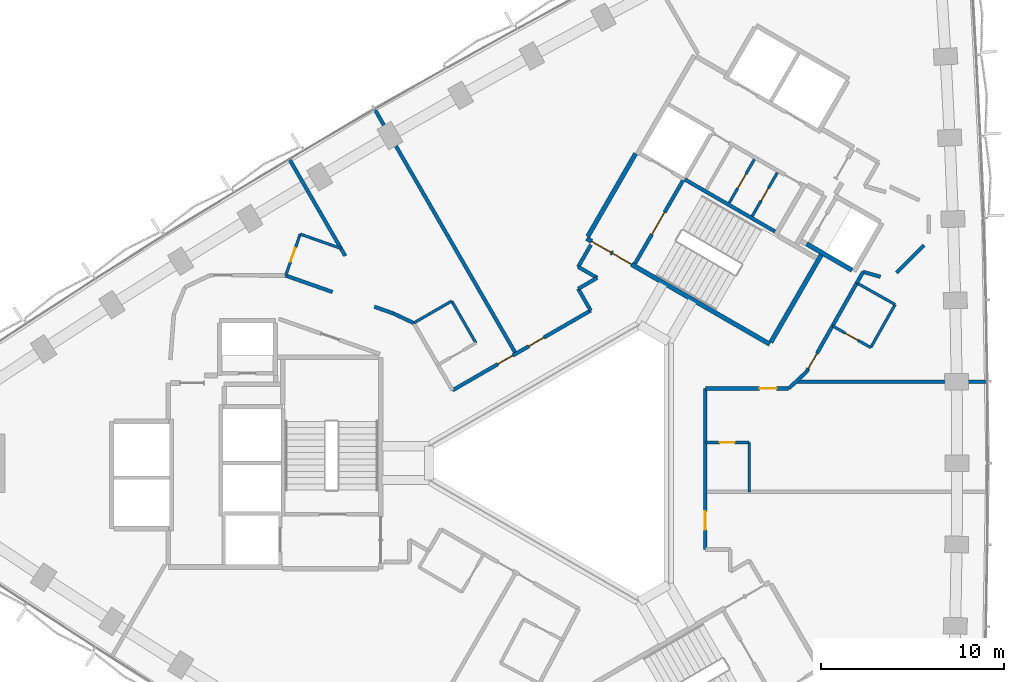
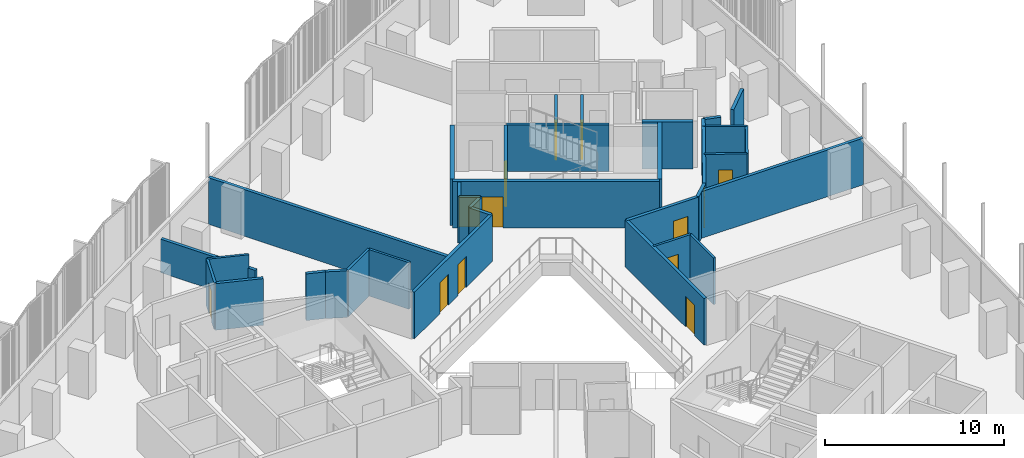
# One storey, part 10 of 15: 35 walls, 13 doors, 13 openings.
"""IFC4 building model written with IfcOpenShell, lengths in metres."""

from ifc_helpers import new_model, si_unit, direction, frame, frame_2d, origin, place, context, subcontext, project, spatial, rectangle, extrude, material, layer, layer_set, type_object, element, fill, save


model = new_model("IFC4")

# Units and contexts
model_context = context("Model", 3, precision=1e-05, world=origin(), true_north=direction((0.0, 1.0)))
body_context = subcontext(model_context, "Body", "Model", "MODEL_VIEW")
ifc_project = project(units=[si_unit("LENGTHUNIT", "METRE"), si_unit("AREAUNIT", "SQUARE_METRE"), si_unit("VOLUMEUNIT", "CUBIC_METRE"), si_unit("PLANEANGLEUNIT", "RADIAN"), si_unit("MASSUNIT", "GRAM", prefix="KILO")], contexts=[model_context])

# Site, building, storey
site_placement = place(None, origin())
site = spatial("IfcSite", under=ifc_project, at=site_placement, CompositionType="ELEMENT")
building_placement = place(site_placement, origin())
building = spatial("IfcBuilding", under=site, at=building_placement, Name="Tamra Quay Hotel Tower", CompositionType="ELEMENT")
storey_placement = place(building_placement, frame((0.0, 0.0, 111.800048828125)))
storey = spatial("IfcBuildingStorey", under=building, at=storey_placement, Name="L27", CompositionType="ELEMENT", Elevation=111.800048828125)

# Wall
ifc_material_1 = material(Name="Concrete M70", Category="concrete")
ifc_layer_1 = layer(ifc_material_1, 0.199951171875)
ifc_layer_set_1 = layer_set([ifc_layer_1], Name="Concrete M70 core wall 200")
wall_type_1 = type_object("IfcWallType", Name="Concrete M70 core wall 200", PredefinedType="SHEAR", material=ifc_layer_set_1)
wall_1_placement = place(storey_placement, frame((5.774658203125, 15.501953125, 0.0), z_axis=(0.0, 0.0, 1.0), x_axis=(0.866020080793, -0.500009219579, 0.0)))
element("IfcWall", 1, at=wall_1_placement, inside=storey, type_object=wall_type_1, Name="CW2", PredefinedType="SHEAR", context=body_context, shape_type="SweptSolid", body=[
    extrude(rectangle(XDim=5.69921875, YDim=0.199951171875, at=frame_2d((2.849609375, 0.0))), origin(), (0.0, 0.0, 1.0), 3.175048828125),
])

# Wall, opening, door
wall_2_placement = place(storey_placement, frame((3.056640625, 10.89453125, 0.0), z_axis=(0.0, 0.0, 1.0), x_axis=(0.499989418164, 0.866031513124, 0.0)))
wall_2 = element("IfcWall", 2, at=wall_2_placement, inside=storey, type_object=wall_type_1, Name="CW2", PredefinedType="SHEAR", context=body_context, shape_type="SweptSolid", body=[
    extrude(rectangle(XDim=5.2509765625, YDim=0.199951171875, at=frame_2d((2.62548828125, 0.0))), origin(), (0.0, 0.0, 1.0), 3.175048828125),
])
opening_1_placement = place(wall_2_placement, frame((1.84912109375, 0.0, 0.0)))
opening_1 = element("IfcOpeningElement", 3, at=opening_1_placement, cuts=wall_2, Name="Opening FD2", PredefinedType="OPENING", context=body_context, shape_type="SweptSolid", body=[
    extrude(rectangle(XDim=1.39990234375, YDim=2.10009765625, at=frame_2d((0.699951171875, 1.050048828125))), frame((0.0, 0.10986328125, 0.0), z_axis=(0.0, -1.0, 0.0), x_axis=(1.0, 0.0, 0.0)), (0.0, 0.0, 1.0), 0.219970703125),
])
ifc_material_2 = material(Name="Core door FD2 1400x2100 RH")
door_type_1 = type_object("IfcDoorType", Name="Core door FD2 1400x2100 RH", OperationType="NOTDEFINED", PredefinedType="DOOR", material=ifc_material_2)
door_1_placement = place(opening_1_placement, origin())
door_1 = element("IfcDoor", 4, at=door_1_placement, inside=storey, type_object=door_type_1, Name="FD2", OperationType="SINGLE_SWING_RIGHT", OverallHeight=2.10009765625, OverallWidth=1.39990234375, PredefinedType="DOOR", context=body_context, shape_type="SweptSolid", body=[
    extrude(rectangle(XDim=1.39990234375, YDim=2.10009765625, at=frame_2d((0.699951171875, 1.050048828125))), frame((0.0, 0.02490234375, 0.0), z_axis=(0.0, -1.0, 0.0), x_axis=(1.0, 0.0, 0.0)), (0.0, 0.0, 1.0), 0.050048828125),
])
fill(opening_1, door_1)

# Wall, openings, doors
ifc_layer_2 = layer(ifc_material_1, 0.25)
ifc_layer_set_2 = layer_set([ifc_layer_2], Name="Concrete M70 core wall 250")
wall_type_2 = type_object("IfcWallType", Name="Concrete M70 core wall 250", PredefinedType="SHEAR", material=ifc_layer_set_2)
wall_3_placement = place(storey_placement, frame((10.419921875, 6.497802734375, 0.0), z_axis=(0.0, 0.0, 1.0), x_axis=(-0.866021906294, 0.500006057782, 0.0)))
wall_3 = element("IfcWall", 5, at=wall_3_placement, inside=storey, type_object=wall_type_2, Name="CW1", PredefinedType="SHEAR", context=body_context, shape_type="SweptSolid", body=[
    extrude(rectangle(XDim=11.550048828125, YDim=0.25, at=frame_2d((5.77490234375, 0.0))), origin(), (0.0, 0.0, 1.0), 3.175048828125),
])
opening_2_placement = place(wall_3_placement, frame((10.02490234375, 0.0, 0.0)))
opening_2 = element("IfcOpeningElement", 6, at=opening_2_placement, cuts=wall_3, Name="Opening FD1", PredefinedType="OPENING", context=body_context, shape_type="SweptSolid", body=[
    extrude(rectangle(XDim=1.199951171875, YDim=2.10009765625, at=frame_2d((0.60009765625, 1.050048828125))), frame((0.0, 0.135009765625, 0.0), z_axis=(0.0, -1.0, 0.0), x_axis=(1.0, 0.0, 0.0)), (0.0, 0.0, 1.0), 0.27001953125),
])
opening_3_placement = place(wall_3_placement, frame((8.724853515625, 0.0, 0.0)))
opening_3 = element("IfcOpeningElement", 7, at=opening_3_placement, cuts=wall_3, Name="Opening FD1", PredefinedType="OPENING", context=body_context, shape_type="SweptSolid", body=[
    extrude(rectangle(XDim=1.199951171875, YDim=2.10009765625, at=frame_2d((0.60009765625, 1.050048828125))), frame((0.0, 0.135009765625, 0.0), z_axis=(0.0, -1.0, 0.0), x_axis=(1.0, 0.0, 0.0)), (0.0, 0.0, 1.0), 0.27001953125),
])
ifc_material_3 = material(Name="Core door FD1 1200x2100 LH")
door_type_2 = type_object("IfcDoorType", Name="Core door FD1 1200x2100 LH", OperationType="NOTDEFINED", PredefinedType="DOOR", material=ifc_material_3)
door_2_placement = place(opening_2_placement, origin())
door_2 = element("IfcDoor", 8, at=door_2_placement, inside=storey, type_object=door_type_2, Name="FD1", OperationType="SINGLE_SWING_LEFT", OverallHeight=2.10009765625, OverallWidth=1.199951171875, PredefinedType="DOOR", context=body_context, shape_type="SweptSolid", body=[
    extrude(rectangle(XDim=1.199951171875, YDim=2.10009765625, at=frame_2d((0.60009765625, 1.050048828125))), frame((0.0, 0.02490234375, 0.0), z_axis=(0.0, -1.0, 0.0), x_axis=(1.0, 0.0, 0.0)), (0.0, 0.0, 1.0), 0.050048828125),
])
fill(opening_2, door_2)
ifc_material_4 = material(Name="Core door FD1 1200x2100 RH")
door_type_3 = type_object("IfcDoorType", Name="Core door FD1 1200x2100 RH", OperationType="NOTDEFINED", PredefinedType="DOOR", material=ifc_material_4)
door_3_placement = place(opening_3_placement, origin())
door_3 = element("IfcDoor", 9, at=door_3_placement, inside=storey, type_object=door_type_3, Name="FD1", OperationType="SINGLE_SWING_RIGHT", OverallHeight=2.10009765625, OverallWidth=1.199951171875, PredefinedType="DOOR", context=body_context, shape_type="SweptSolid", body=[
    extrude(rectangle(XDim=1.199951171875, YDim=2.10009765625, at=frame_2d((0.60009765625, 1.050048828125))), frame((0.0, 0.02490234375, 0.0), z_axis=(0.0, -1.0, 0.0), x_axis=(1.0, 0.0, 0.0)), (0.0, 0.0, 1.0), 0.050048828125),
])
fill(opening_3, door_3)

# Walls
wall_4_placement = place(storey_placement, frame((0.47998046875, 12.38134765625, 0.0), z_axis=(0.0, 0.0, 1.0), x_axis=(0.49999885962, 0.866026062182, 0.0)))
element("IfcWall", 10, at=wall_4_placement, inside=storey, type_object=wall_type_2, Name="CW1", PredefinedType="SHEAR", context=body_context, shape_type="SweptSolid", body=[
    extrude(rectangle(XDim=5.224609375, YDim=0.25, at=frame_2d((2.6123046875, 0.0))), origin(), (0.0, 0.0, 1.0), 3.175048828125),
])
wall_5_placement = place(storey_placement, frame((13.237548828125, 11.3779296875, 0.0), z_axis=(0.0, 0.0, 1.0), x_axis=(-0.500008851346, -0.866020293397, 0.0)))
element("IfcWall", 11, at=wall_5_placement, inside=storey, type_object=wall_type_2, Name="CW1", PredefinedType="SHEAR", context=body_context, shape_type="SweptSolid", body=[
    extrude(rectangle(XDim=5.509765625, YDim=0.25, at=frame_2d((2.7548828125, 0.0))), origin(), (0.0, 0.0, 1.0), 3.175048828125),
])
wall_6_placement = place(storey_placement, frame((14.91845703125, 10.540283203125, 0.0), z_axis=(0.0, 0.0, 1.0), x_axis=(-0.866063538972, 0.499933942099, 0.0)))
element("IfcWall", 12, at=wall_6_placement, inside=storey, type_object=wall_type_2, Name="CW1", PredefinedType="SHEAR", context=body_context, shape_type="SweptSolid", body=[
    extrude(rectangle(XDim=2.86474609375, YDim=0.25, at=frame_2d((1.432373046875, 0.0))), origin(), (0.0, 0.0, 1.0), 3.175048828125),
])

# Wall, opening, door
ifc_material_5 = material(Name="Blockwork", Category="masonry")
ifc_layer_3 = layer(ifc_material_5, 0.14990234375)
ifc_layer_set_3 = layer_set([ifc_layer_3], Name="Core partition block 150")
wall_type_3 = type_object("IfcWallType", Name="Core partition block 150", PredefinedType="PARTITIONING", material=ifc_layer_set_3)
wall_7_placement = place(storey_placement, frame((9.462158203125, 13.4892578125, 0.0), z_axis=(0.0, 0.0, 1.0), x_axis=(0.50002746344, 0.86600954718, 0.0)))
wall_7 = element("IfcWall", 13, at=wall_7_placement, inside=storey, type_object=wall_type_3, Name="CP1", PredefinedType="PARTITIONING", context=body_context, shape_type="SweptSolid", body=[
    extrude(rectangle(XDim=2.748291015625, YDim=0.14990234375, at=frame_2d((1.3740234375, 0.0))), origin(), (0.0, 0.0, 1.0), 3.175048828125),
])
opening_4_placement = place(wall_7_placement, frame((0.97412109375, 0.0, 0.0)))
opening_4 = element("IfcOpeningElement", 14, at=opening_4_placement, cuts=wall_7, Name="Opening D3", PredefinedType="OPENING", context=body_context, shape_type="SweptSolid", body=[
    extrude(rectangle(XDim=0.800048828125, YDim=2.10009765625, at=frame_2d((0.39990234375, 1.050048828125))), frame((0.0, 0.0849609375, 0.0), z_axis=(0.0, -1.0, 0.0), x_axis=(1.0, 0.0, 0.0)), (0.0, 0.0, 1.0), 0.169921875),
])
ifc_material_6 = material(Name="Core door D3 800x2100 RH")
door_type_4 = type_object("IfcDoorType", Name="Core door D3 800x2100 RH", OperationType="NOTDEFINED", PredefinedType="DOOR", material=ifc_material_6)
door_4_placement = place(opening_4_placement, origin())
door_4 = element("IfcDoor", 15, at=door_4_placement, inside=storey, type_object=door_type_4, Name="D3", OperationType="SINGLE_SWING_RIGHT", OverallHeight=2.10009765625, OverallWidth=0.800048828125, PredefinedType="DOOR", context=body_context, shape_type="SweptSolid", body=[
    extrude(rectangle(XDim=0.800048828125, YDim=2.10009765625, at=frame_2d((0.39990234375, 1.050048828125))), frame((0.0, 0.02490234375, 0.0), z_axis=(0.0, -1.0, 0.0), x_axis=(1.0, 0.0, 0.0)), (0.0, 0.0, 1.0), 0.050048828125),
])
fill(opening_4, door_4)

wall_8_placement = place(storey_placement, frame((8.20654296875, 14.214111328125, 0.0), z_axis=(0.0, 0.0, 1.0), x_axis=(0.499922376475, 0.866070215109, 0.0)))
wall_8 = element("IfcWall", 16, at=wall_8_placement, inside=storey, type_object=wall_type_3, Name="CP1", PredefinedType="PARTITIONING", context=body_context, shape_type="SweptSolid", body=[
    extrude(rectangle(XDim=2.74853515625, YDim=0.14990234375, at=frame_2d((1.374267578125, 0.0))), origin(), (0.0, 0.0, 1.0), 3.175048828125),
])
opening_5_placement = place(wall_8_placement, frame((0.92431640625, 0.0, 0.0)))
opening_5 = element("IfcOpeningElement", 17, at=opening_5_placement, cuts=wall_8, Name="Opening D2", PredefinedType="OPENING", context=body_context, shape_type="SweptSolid", body=[
    extrude(rectangle(XDim=0.89990234375, YDim=2.10009765625, at=frame_2d((0.449951171875, 1.050048828125))), frame((0.0, 0.0849609375, 0.0), z_axis=(0.0, -1.0, 0.0), x_axis=(1.0, 0.0, 0.0)), (0.0, 0.0, 1.0), 0.169921875),
])
ifc_material_7 = material(Name="Core door D2 900x2100 LH")
door_type_5 = type_object("IfcDoorType", Name="Core door D2 900x2100 LH", OperationType="NOTDEFINED", PredefinedType="DOOR", material=ifc_material_7)
door_5_placement = place(opening_5_placement, origin())
door_5 = element("IfcDoor", 18, at=door_5_placement, inside=storey, type_object=door_type_5, Name="D2", OperationType="SINGLE_SWING_LEFT", OverallHeight=2.10009765625, OverallWidth=0.89990234375, PredefinedType="DOOR", context=body_context, shape_type="SweptSolid", body=[
    extrude(rectangle(XDim=0.89990234375, YDim=2.10009765625, at=frame_2d((0.449951171875, 1.050048828125))), frame((0.0, 0.02490234375, 0.0), z_axis=(0.0, -1.0, 0.0), x_axis=(1.0, 0.0, 0.0)), (0.0, 0.0, 1.0), 0.050048828125),
])
fill(opening_5, door_5)

# Walls
ifc_material_8 = material(Name="Partition corridor wall")
ifc_layer_4 = layer(ifc_material_8, 0.199951171875)
ifc_layer_set_4 = layer_set([ifc_layer_4], Name="Partition corridor wall")
wall_type_4 = type_object("IfcWallType", Name="Partition corridor wall", PredefinedType="PARTITIONING", material=ifc_layer_set_4)
wall_9_placement = place(storey_placement, frame((-16.02587890625, 10.24755859375, 0.0), z_axis=(0.0, 0.0, 1.0), x_axis=(0.943265923184, -0.332038248039, 0.0)))
element("IfcWall", 19, at=wall_9_placement, inside=storey, type_object=wall_type_4, Name="W-C", PredefinedType="PARTITIONING", context=body_context, shape_type="SweptSolid", body=[
    extrude(rectangle(XDim=2.711669921875, YDim=0.199951171875, at=frame_2d((1.35595703125, 0.0))), origin(), (0.0, 0.0, 1.0), 3.175048828125),
])
wall_10_placement = place(storey_placement, frame((-11.179931640625, 8.5419921875, 0.0), z_axis=(0.0, 0.0, 1.0), x_axis=(0.943264734704, -0.332041624295, 0.0)))
element("IfcWall", 20, at=wall_10_placement, inside=storey, type_object=wall_type_4, Name="W-C", PredefinedType="PARTITIONING", context=body_context, shape_type="SweptSolid", body=[
    extrude(rectangle(XDim=1.09912109375, YDim=0.199951171875, at=frame_2d((0.549560546875, 0.0))), origin(), (0.0, 0.0, 1.0), 3.175048828125),
])
wall_11_placement = place(storey_placement, frame((-10.14306640625, 8.177001953125, 0.0), z_axis=(0.0, 0.0, 1.0), x_axis=(0.904033154172, -0.427462344726, 0.0)))
element("IfcWall", 21, at=wall_11_placement, inside=storey, type_object=wall_type_4, Name="W-C", PredefinedType="PARTITIONING", context=body_context, shape_type="SweptSolid", body=[
    extrude(rectangle(XDim=1.22802734375, YDim=0.199951171875, at=frame_2d((0.614013671875, 0.0))), origin(), (0.0, 0.0, 1.0), 3.175048828125),
])

# Wall, openings, doors
wall_12_placement = place(storey_placement, frame((-6.91064453125, 3.976318359375, 0.0), z_axis=(0.0, 0.0, 1.0), x_axis=(0.865981774652, 0.500075560261, 0.0)))
wall_12 = element("IfcWall", 22, at=wall_12_placement, inside=storey, type_object=wall_type_4, Name="W-C", PredefinedType="PARTITIONING", context=body_context, shape_type="SweptSolid", body=[
    extrude(rectangle(XDim=8.718017578125, YDim=0.199951171875, at=frame_2d((4.35888671875, 0.0))), origin(), (0.0, 0.0, 1.0), 3.175048828125),
])
opening_6_placement = place(wall_12_placement, frame((4.818115234375, 0.0, 0.0)))
opening_6 = element("IfcOpeningElement", 23, at=opening_6_placement, cuts=wall_12, Name="Opening L27-D006", PredefinedType="OPENING", context=body_context, shape_type="SweptSolid", body=[
    extrude(rectangle(XDim=0.949951171875, YDim=2.10009765625, at=frame_2d((0.47509765625, 1.050048828125))), frame((0.0, 0.10986328125, 0.0), z_axis=(0.0, -1.0, 0.0), x_axis=(1.0, 0.0, 0.0)), (0.0, 0.0, 1.0), 0.219970703125),
])
opening_7_placement = place(wall_12_placement, frame((2.85888671875, 0.0, 0.0)))
opening_7 = element("IfcOpeningElement", 24, at=opening_7_placement, cuts=wall_12, Name="Opening L27-D007", PredefinedType="OPENING", context=body_context, shape_type="SweptSolid", body=[
    extrude(rectangle(XDim=0.949951171875, YDim=2.10009765625, at=frame_2d((0.47509765625, 1.050048828125))), frame((0.0, 0.10986328125, 0.0), z_axis=(0.0, -1.0, 0.0), x_axis=(1.0, 0.0, 0.0)), (0.0, 0.0, 1.0), 0.219970703125),
])
ifc_material_9 = material(Name="Door guest room 950x2100")
door_type_6 = type_object("IfcDoorType", Name="Door guest room 950x2100", OperationType="NOTDEFINED", PredefinedType="DOOR", material=ifc_material_9)
door_6_placement = place(opening_6_placement, origin())
door_6 = element("IfcDoor", 25, at=door_6_placement, inside=storey, type_object=door_type_6, Name="L27-D006", OperationType="SINGLE_SWING_LEFT", OverallHeight=2.10009765625, OverallWidth=0.949951171875, PredefinedType="DOOR", context=body_context, shape_type="SweptSolid", body=[
    extrude(rectangle(XDim=0.949951171875, YDim=2.10009765625, at=frame_2d((0.47509765625, 1.050048828125))), frame((0.0, 0.02490234375, 0.0), z_axis=(0.0, -1.0, 0.0), x_axis=(1.0, 0.0, 0.0)), (0.0, 0.0, 1.0), 0.050048828125),
])
fill(opening_6, door_6)
door_7_placement = place(opening_7_placement, origin())
door_7 = element("IfcDoor", 26, at=door_7_placement, inside=storey, type_object=door_type_6, Name="L27-D007", OperationType="SINGLE_SWING_LEFT", OverallHeight=2.10009765625, OverallWidth=0.949951171875, PredefinedType="DOOR", context=body_context, shape_type="SweptSolid", body=[
    extrude(rectangle(XDim=0.949951171875, YDim=2.10009765625, at=frame_2d((0.47509765625, 1.050048828125))), frame((0.0, 0.02490234375, 0.0), z_axis=(0.0, -1.0, 0.0), x_axis=(1.0, 0.0, 0.0)), (0.0, 0.0, 1.0), 0.050048828125),
])
fill(opening_7, door_7)

# Walls
wall_13_placement = place(storey_placement, frame((-0.044921875, 9.52099609375, 0.0), z_axis=(0.0, 0.0, 1.0), x_axis=(0.499804837697, -0.866138051476, 0.0)))
element("IfcWall", 27, at=wall_13_placement, inside=storey, type_object=wall_type_4, Name="W-C", PredefinedType="PARTITIONING", context=body_context, shape_type="SweptSolid", body=[
    extrude(rectangle(XDim=1.3681640625, YDim=0.199951171875, at=frame_2d((0.68408203125, 0.0))), origin(), (0.0, 0.0, 1.0), 3.175048828125),
])
wall_14_placement = place(storey_placement, frame((-0.044921875, 9.52197265625, 0.0), z_axis=(0.0, 0.0, 1.0), x_axis=(0.86625675314, 0.499599076899, 0.0)))
element("IfcWall", 28, at=wall_14_placement, inside=storey, type_object=wall_type_4, Name="W-C", PredefinedType="PARTITIONING", context=body_context, shape_type="SweptSolid", body=[
    extrude(rectangle(XDim=1.19921875, YDim=0.199951171875, at=frame_2d((0.599609375, 0.0))), origin(), (0.0, 0.0, 1.0), 3.175048828125),
])
wall_15_placement = place(storey_placement, frame((-0.044921875, 10.721923828125, 0.0), z_axis=(0.0, 0.0, 1.0), x_axis=(0.500107785535, 0.865963164833, 0.0)))
element("IfcWall", 29, at=wall_15_placement, inside=storey, type_object=wall_type_4, Name="W-C", PredefinedType="PARTITIONING", context=body_context, shape_type="SweptSolid", body=[
    extrude(rectangle(XDim=1.389404296875, YDim=0.199951171875, at=frame_2d((0.69482421875, 0.0))), origin(), (0.0, 0.0, 1.0), 3.175048828125),
])
wall_16_placement = place(storey_placement, frame((-0.044921875, 10.720947265625, 0.0), z_axis=(0.0, 0.0, 1.0), x_axis=(0.865992388649, -0.500057179532, 0.0)))
element("IfcWall", 30, at=wall_16_placement, inside=storey, type_object=wall_type_4, Name="W-C", PredefinedType="PARTITIONING", context=body_context, shape_type="SweptSolid", body=[
    extrude(rectangle(XDim=1.199462890625, YDim=0.199951171875, at=frame_2d((0.599609375, 0.0))), origin(), (0.0, 0.0, 1.0), 3.175048828125),
])

# Wall, opening, door
wall_17_placement = place(storey_placement, frame((6.89990234375, -4.720947265625, 0.0), z_axis=(0.0, 0.0, 1.0), x_axis=(0.0, 1.0, 0.0)))
wall_17 = element("IfcWall", 31, at=wall_17_placement, inside=storey, type_object=wall_type_4, Name="W-C", PredefinedType="PARTITIONING", context=body_context, shape_type="SweptSolid", body=[
    extrude(rectangle(XDim=8.798828125, YDim=0.199951171875, at=frame_2d((4.3994140625, 0.0))), origin(), (0.0, 0.0, 1.0), 3.175048828125),
])
opening_8_placement = place(wall_17_placement, frame((1.080078125, 0.0, 0.0)))
opening_8 = element("IfcOpeningElement", 32, at=opening_8_placement, cuts=wall_17, Name="Opening L27-D001", PredefinedType="OPENING", context=body_context, shape_type="SweptSolid", body=[
    extrude(rectangle(XDim=1.0, YDim=2.10009765625, at=frame_2d((0.5, 1.050048828125))), frame((0.0, 0.10986328125, 0.0), z_axis=(0.0, -1.0, 0.0), x_axis=(1.0, 0.0, 0.0)), (0.0, 0.0, 1.0), 0.219970703125),
])
ifc_material_10 = material(Name="Door guest room 1000x2100")
door_type_7 = type_object("IfcDoorType", Name="Door guest room 1000x2100", OperationType="NOTDEFINED", PredefinedType="DOOR", material=ifc_material_10)
door_8_placement = place(opening_8_placement, frame((1.0, 0.0, 0.0), z_axis=(0.0, 0.0, 1.0), x_axis=(-1.0, 0.0, 0.0)))
door_8 = element("IfcDoor", 33, at=door_8_placement, inside=storey, type_object=door_type_7, Name="L27-D001", OperationType="SINGLE_SWING_LEFT", OverallHeight=2.10009765625, OverallWidth=1.0, PredefinedType="DOOR", context=body_context, shape_type="SweptSolid", body=[
    extrude(rectangle(XDim=1.0, YDim=2.10009765625, at=frame_2d((0.5, 1.050048828125))), frame((0.0, 0.02490234375, 0.0), z_axis=(0.0, -1.0, 0.0), x_axis=(1.0, 0.0, 0.0)), (0.0, 0.0, 1.0), 0.050048828125),
])
fill(opening_8, door_8)

wall_18_placement = place(storey_placement, frame((6.89990234375, 4.077880859375, 0.0), z_axis=(0.0, 0.0, 1.0), x_axis=(1.0, 0.0, 0.0)))
wall_18 = element("IfcWall", 34, at=wall_18_placement, inside=storey, type_object=wall_type_4, Name="W-C", PredefinedType="PARTITIONING", context=body_context, shape_type="SweptSolid", body=[
    extrude(rectangle(XDim=4.55810546875, YDim=0.199951171875, at=frame_2d((2.279052734375, 0.0))), origin(), (0.0, 0.0, 1.0), 3.175048828125),
])
opening_9_placement = place(wall_18_placement, frame((2.949951171875, 0.0, 0.0)))
opening_9 = element("IfcOpeningElement", 35, at=opening_9_placement, cuts=wall_18, Name="Opening L27-D002", PredefinedType="OPENING", context=body_context, shape_type="SweptSolid", body=[
    extrude(rectangle(XDim=0.949951171875, YDim=2.10009765625, at=frame_2d((0.47509765625, 1.050048828125))), frame((0.0, 0.10986328125, 0.0), z_axis=(0.0, -1.0, 0.0), x_axis=(1.0, 0.0, 0.0)), (0.0, 0.0, 1.0), 0.219970703125),
])
door_9_placement = place(opening_9_placement, frame((0.949951171875, 0.0, 0.0), z_axis=(0.0, 0.0, 1.0), x_axis=(-1.0, 0.0, 0.0)))
door_9 = element("IfcDoor", 36, at=door_9_placement, inside=storey, type_object=door_type_6, Name="L27-D002", OperationType="SINGLE_SWING_LEFT", OverallHeight=2.10009765625, OverallWidth=0.949951171875, PredefinedType="DOOR", context=body_context, shape_type="SweptSolid", body=[
    extrude(rectangle(XDim=0.949951171875, YDim=2.10009765625, at=frame_2d((0.47509765625, 1.050048828125))), frame((0.0, 0.02490234375, 0.0), z_axis=(0.0, -1.0, 0.0), x_axis=(1.0, 0.0, 0.0)), (0.0, 0.0, 1.0), 0.050048828125),
])
fill(opening_9, door_9)

# Wall
wall_19_placement = place(storey_placement, frame((11.4580078125, 4.077880859375, 0.0), z_axis=(0.0, 0.0, 1.0), x_axis=(0.73011257202, 0.683326885303, 0.0)))
element("IfcWall", 37, at=wall_19_placement, inside=storey, type_object=wall_type_4, Name="W-C", PredefinedType="PARTITIONING", context=body_context, shape_type="SweptSolid", body=[
    extrude(rectangle(XDim=1.3359375, YDim=0.199951171875, at=frame_2d((0.66796875, 0.0))), origin(), (0.0, 0.0, 1.0), 3.175048828125),
])

# Wall, opening, door
wall_20_placement = place(storey_placement, frame((12.43310546875, 4.991943359375, 0.0), z_axis=(0.0, 0.0, 1.0), x_axis=(0.492582612696, 0.870265689126, 0.0)))
wall_20 = element("IfcWall", 38, at=wall_20_placement, inside=storey, type_object=wall_type_4, Name="W-C", PredefinedType="PARTITIONING", context=body_context, shape_type="SweptSolid", body=[
    extrude(rectangle(XDim=5.58837890625, YDim=0.199951171875, at=frame_2d((2.794189453125, 0.0))), origin(), (0.0, 0.0, 1.0), 3.175048828125),
])
opening_10_placement = place(wall_20_placement, frame((0.199951171875, 0.0, 0.0)))
opening_10 = element("IfcOpeningElement", 39, at=opening_10_placement, cuts=wall_20, Name="Opening L27-D004", PredefinedType="OPENING", context=body_context, shape_type="SweptSolid", body=[
    extrude(rectangle(XDim=0.949951171875, YDim=2.10009765625, at=frame_2d((0.47509765625, 1.050048828125))), frame((0.0, 0.10986328125, 0.0), z_axis=(0.0, -1.0, 0.0), x_axis=(1.0, 0.0, 0.0)), (0.0, 0.0, 1.0), 0.219970703125),
])
door_10_placement = place(opening_10_placement, origin())
door_10 = element("IfcDoor", 40, at=door_10_placement, inside=storey, type_object=door_type_6, Name="L27-D004", OperationType="SINGLE_SWING_LEFT", OverallHeight=2.10009765625, OverallWidth=0.949951171875, PredefinedType="DOOR", context=body_context, shape_type="SweptSolid", body=[
    extrude(rectangle(XDim=0.949951171875, YDim=2.10009765625, at=frame_2d((0.47509765625, 1.050048828125))), frame((0.0, 0.02490234375, 0.0), z_axis=(0.0, -1.0, 0.0), x_axis=(1.0, 0.0, 0.0)), (0.0, 0.0, 1.0), 0.050048828125),
])
fill(opening_10, door_10)

# Walls
wall_21_placement = place(storey_placement, frame((15.174072265625, 9.833984375, 0.0), z_axis=(0.0, 0.0, 1.0), x_axis=(0.492968928412, 0.870046915758, 0.0)))
element("IfcWall", 41, at=wall_21_placement, inside=storey, type_object=wall_type_4, Name="W-C", PredefinedType="PARTITIONING", context=body_context, shape_type="SweptSolid", body=[
    extrude(rectangle(XDim=0.705810546875, YDim=0.199951171875, at=frame_2d((0.35302734375, 0.0))), origin(), (0.0, 0.0, 1.0), 3.175048828125),
])
wall_22_placement = place(storey_placement, frame((15.52197265625, 10.447998046875, 0.0), z_axis=(0.0, 0.0, 1.0), x_axis=(0.961673491185, -0.274197185164, 0.0)))
element("IfcWall", 42, at=wall_22_placement, inside=storey, type_object=wall_type_4, Name="W-C", PredefinedType="PARTITIONING", context=body_context, shape_type="SweptSolid", body=[
    extrude(rectangle(XDim=0.98486328125, YDim=0.199951171875, at=frame_2d((0.492431640625, 0.0))), origin(), (0.0, 0.0, 1.0), 3.175048828125),
])
wall_23_placement = place(storey_placement, frame((17.35205078125, 10.406982421875, 0.0), z_axis=(0.0, 0.0, 1.0), x_axis=(0.707106781187, 0.707106781187, 0.0)))
element("IfcWall", 43, at=wall_23_placement, inside=storey, type_object=wall_type_4, Name="W-C", PredefinedType="PARTITIONING", context=body_context, shape_type="SweptSolid", body=[
    extrude(rectangle(XDim=2.121337890625, YDim=0.199951171875, at=frame_2d((1.060546875, 0.0))), origin(), (0.0, 0.0, 1.0), 3.175048828125),
])

# Wall, opening, door
ifc_material_11 = material(Name="Partition en-suite wall")
ifc_layer_5 = layer(ifc_material_11, 0.14990234375)
ifc_layer_set_5 = layer_set([ifc_layer_5], Name="Partition en-suite wall")
wall_type_5 = type_object("IfcWallType", Name="Partition en-suite wall", PredefinedType="PARTITIONING", material=ifc_layer_set_5)
wall_24_placement = place(storey_placement, frame((-16.02587890625, 10.2490234375, 0.0), z_axis=(0.0, 0.0, 1.0), x_axis=(0.332425382463, 0.943129559018, 0.0)))
wall_24 = element("IfcWall", 44, at=wall_24_placement, inside=storey, type_object=wall_type_5, Name="W-E", PredefinedType="PARTITIONING", context=body_context, shape_type="SweptSolid", body=[
    extrude(rectangle(XDim=2.394287109375, YDim=0.14990234375, at=frame_2d((1.197265625, 0.0))), origin(), (0.0, 0.0, 1.0), 3.175048828125),
])
opening_11_placement = place(wall_24_placement, frame((0.798095703125, 0.0, 0.0)))
opening_11 = element("IfcOpeningElement", 45, at=opening_11_placement, cuts=wall_24, Name="Opening L27-D011", PredefinedType="OPENING", context=body_context, shape_type="SweptSolid", body=[
    extrude(rectangle(XDim=0.800048828125, YDim=2.10009765625, at=frame_2d((0.39990234375, 1.050048828125))), frame((0.0, 0.0849609375, 0.0), z_axis=(0.0, -1.0, 0.0), x_axis=(1.0, 0.0, 0.0)), (0.0, 0.0, 1.0), 0.169921875),
])
ifc_material_12 = material(Name="Door en-suite 800x2100")
door_type_8 = type_object("IfcDoorType", Name="Door en-suite 800x2100", OperationType="NOTDEFINED", PredefinedType="DOOR", material=ifc_material_12)
door_11_placement = place(opening_11_placement, origin())
door_11 = element("IfcDoor", 46, at=door_11_placement, inside=storey, type_object=door_type_8, Name="L27-D011", OperationType="SINGLE_SWING_LEFT", OverallHeight=2.10009765625, OverallWidth=0.800048828125, PredefinedType="DOOR", context=body_context, shape_type="SweptSolid", body=[
    extrude(rectangle(XDim=0.800048828125, YDim=2.10009765625, at=frame_2d((0.39990234375, 1.050048828125))), frame((0.0, 0.02490234375, 0.0), z_axis=(0.0, -1.0, 0.0), x_axis=(1.0, 0.0, 0.0)), (0.0, 0.0, 1.0), 0.050048828125),
])
fill(opening_11, door_11)

# Walls
wall_25_placement = place(storey_placement, frame((-15.22607421875, 12.510009765625, 0.0), z_axis=(0.0, 0.0, 1.0), x_axis=(0.94323350676, -0.332130323404, 0.0)))
element("IfcWall", 47, at=wall_25_placement, inside=storey, type_object=wall_type_5, Name="W-E", PredefinedType="PARTITIONING", context=body_context, shape_type="SweptSolid", body=[
    extrude(rectangle(XDim=2.3515625, YDim=0.14990234375, at=frame_2d((1.17578125, 0.0))), origin(), (0.0, 0.0, 1.0), 3.175048828125),
])
wall_26_placement = place(storey_placement, frame((-9.032958984375, 7.652099609375, 0.0), z_axis=(0.0, 0.0, 1.0), x_axis=(0.865973769406, 0.500089422704, 0.0)))
element("IfcWall", 48, at=wall_26_placement, inside=storey, type_object=wall_type_5, Name="W-E", PredefinedType="PARTITIONING", context=body_context, shape_type="SweptSolid", body=[
    extrude(rectangle(XDim=2.3994140625, YDim=0.14990234375, at=frame_2d((1.19970703125, 0.0))), origin(), (0.0, 0.0, 1.0), 3.175048828125),
])
wall_27_placement = place(storey_placement, frame((-6.955078125, 8.85205078125, 0.0), z_axis=(0.0, 0.0, 1.0), x_axis=(0.500122176955, -0.865954853395, 0.0)))
element("IfcWall", 49, at=wall_27_placement, inside=storey, type_object=wall_type_5, Name="W-E", PredefinedType="PARTITIONING", context=body_context, shape_type="SweptSolid", body=[
    extrude(rectangle(XDim=2.643310546875, YDim=0.14990234375, at=frame_2d((1.32177734375, 0.0))), origin(), (0.0, 0.0, 1.0), 3.175048828125),
])

# Wall, opening, door
wall_28_placement = place(storey_placement, frame((6.89990234375, 1.126953125, 0.0), z_axis=(0.0, 0.0, 1.0), x_axis=(1.0, 0.0, 0.0)))
wall_28 = element("IfcWall", 50, at=wall_28_placement, inside=storey, type_object=wall_type_5, Name="W-E", PredefinedType="PARTITIONING", context=body_context, shape_type="SweptSolid", body=[
    extrude(rectangle(XDim=2.400146484375, YDim=0.14990234375, at=frame_2d((1.2001953125, 0.0))), origin(), (0.0, 0.0, 1.0), 3.175048828125),
])
opening_12_placement = place(wall_28_placement, frame((0.800048828125, 0.0, 0.0)))
opening_12 = element("IfcOpeningElement", 51, at=opening_12_placement, cuts=wall_28, Name="Opening L27-D003", PredefinedType="OPENING", context=body_context, shape_type="SweptSolid", body=[
    extrude(rectangle(XDim=0.800048828125, YDim=2.10009765625, at=frame_2d((0.39990234375, 1.050048828125))), frame((0.0, 0.0849609375, 0.0), z_axis=(0.0, -1.0, 0.0), x_axis=(1.0, 0.0, 0.0)), (0.0, 0.0, 1.0), 0.169921875),
])
door_12_placement = place(opening_12_placement, origin())
door_12 = element("IfcDoor", 52, at=door_12_placement, inside=storey, type_object=door_type_8, Name="L27-D003", OperationType="SINGLE_SWING_LEFT", OverallHeight=2.10009765625, OverallWidth=0.800048828125, PredefinedType="DOOR", context=body_context, shape_type="SweptSolid", body=[
    extrude(rectangle(XDim=0.800048828125, YDim=2.10009765625, at=frame_2d((0.39990234375, 1.050048828125))), frame((0.0, 0.02490234375, 0.0), z_axis=(0.0, -1.0, 0.0), x_axis=(1.0, 0.0, 0.0)), (0.0, 0.0, 1.0), 0.050048828125),
])
fill(opening_12, door_12)

# Wall
wall_29_placement = place(storey_placement, frame((9.300048828125, -1.572998046875, 0.0), z_axis=(0.0, 0.0, 1.0), x_axis=(0.0, 1.0, 0.0)))
element("IfcWall", 53, at=wall_29_placement, inside=storey, type_object=wall_type_5, Name="W-E", PredefinedType="PARTITIONING", context=body_context, shape_type="SweptSolid", body=[
    extrude(rectangle(XDim=2.699951171875, YDim=0.14990234375, at=frame_2d((1.35009765625, 0.0))), origin(), (0.0, 0.0, 1.0), 3.175048828125),
])

# Wall, opening, door
wall_30_placement = place(storey_placement, frame((13.85107421875, 7.4951171875, 0.0), z_axis=(0.0, 0.0, 1.0), x_axis=(0.870179408867, -0.492735016397, 0.0)))
wall_30 = element("IfcWall", 54, at=wall_30_placement, inside=storey, type_object=wall_type_5, Name="W-E", PredefinedType="PARTITIONING", context=body_context, shape_type="SweptSolid", body=[
    extrude(rectangle(XDim=2.397216796875, YDim=0.14990234375, at=frame_2d((1.19873046875, 0.0))), origin(), (0.0, 0.0, 1.0), 3.175048828125),
])
opening_13_placement = place(wall_30_placement, frame((0.799072265625, 0.0, 0.0)))
opening_13 = element("IfcOpeningElement", 55, at=opening_13_placement, cuts=wall_30, Name="Opening L27-D005", PredefinedType="OPENING", context=body_context, shape_type="SweptSolid", body=[
    extrude(rectangle(XDim=0.800048828125, YDim=2.10009765625, at=frame_2d((0.39990234375, 1.050048828125))), frame((0.0, 0.0849609375, 0.0), z_axis=(0.0, -1.0, 0.0), x_axis=(1.0, 0.0, 0.0)), (0.0, 0.0, 1.0), 0.169921875),
])
door_13_placement = place(opening_13_placement, origin())
door_13 = element("IfcDoor", 56, at=door_13_placement, inside=storey, type_object=door_type_8, Name="L27-D005", OperationType="SINGLE_SWING_LEFT", OverallHeight=2.10009765625, OverallWidth=0.800048828125, PredefinedType="DOOR", context=body_context, shape_type="SweptSolid", body=[
    extrude(rectangle(XDim=0.800048828125, YDim=2.10009765625, at=frame_2d((0.39990234375, 1.050048828125))), frame((0.0, 0.02490234375, 0.0), z_axis=(0.0, -1.0, 0.0), x_axis=(1.0, 0.0, 0.0)), (0.0, 0.0, 1.0), 0.050048828125),
])
fill(opening_13, door_13)

# Walls
wall_31_placement = place(storey_placement, frame((15.18310546875, 9.842041015625, 0.0), z_axis=(0.0, 0.0, 1.0), x_axis=(0.870676919072, -0.491855367558, 0.0)))
element("IfcWall", 57, at=wall_31_placement, inside=storey, type_object=wall_type_5, Name="W-E", PredefinedType="PARTITIONING", context=body_context, shape_type="SweptSolid", body=[
    extrude(rectangle(XDim=2.39111328125, YDim=0.14990234375, at=frame_2d((1.195556640625, 0.0))), origin(), (0.0, 0.0, 1.0), 3.175048828125),
])
wall_32_placement = place(storey_placement, frame((15.94189453125, 6.31689453125, 0.0), z_axis=(0.0, 0.0, 1.0), x_axis=(0.492424628392, 0.87035509153, 0.0)))
element("IfcWall", 58, at=wall_32_placement, inside=storey, type_object=wall_type_5, Name="W-E", PredefinedType="PARTITIONING", context=body_context, shape_type="SweptSolid", body=[
    extrude(rectangle(XDim=2.693115234375, YDim=0.14990234375, at=frame_2d((1.3466796875, 0.0))), origin(), (0.0, 0.0, 1.0), 3.175048828125),
])
ifc_material_13 = material(Name="Partition party wall")
ifc_layer_6 = layer(ifc_material_13, 0.199951171875)
ifc_layer_set_6 = layer_set([ifc_layer_6], Name="Partition party wall")
wall_type_6 = type_object("IfcWallType", Name="Partition party wall", PredefinedType="PARTITIONING", material=ifc_layer_set_6)
wall_33_placement = place(storey_placement, frame((-15.8193359375, 16.600830078125, 0.0), z_axis=(0.0, 0.0, 1.0), x_axis=(0.499900464672, -0.866082862907, 0.0)))
element("IfcWall", 59, at=wall_33_placement, inside=storey, type_object=wall_type_6, Name="W-P", PredefinedType="PARTITIONING", context=body_context, shape_type="SweptSolid", body=[
    extrude(rectangle(XDim=6.094482421875, YDim=0.199951171875, at=frame_2d((3.04736328125, 0.0))), origin(), (0.0, 0.0, 1.0), 2.27490234375),
])
wall_34_placement = place(storey_placement, frame((-11.163818359375, 19.336669921875, 0.0), z_axis=(0.0, 0.0, 1.0), x_axis=(0.499965874908, -0.866045105019, 0.0)))
element("IfcWall", 60, at=wall_34_placement, inside=storey, type_object=wall_type_6, Name="W-P", PredefinedType="PARTITIONING", context=body_context, shape_type="SweptSolid", body=[
    extrude(rectangle(XDim=15.4248046875, YDim=0.199951171875, at=frame_2d((7.71240234375, 0.0))), origin(), (0.0, 0.0, 1.0), 3.175048828125),
])
wall_35_placement = place(storey_placement, frame((11.84912109375, 4.445068359375, 0.0), z_axis=(0.0, 0.0, 1.0), x_axis=(1.0, 0.0, 0.0)))
element("IfcWall", 61, at=wall_35_placement, inside=storey, type_object=wall_type_6, Name="W-P", PredefinedType="PARTITIONING", context=body_context, shape_type="SweptSolid", body=[
    extrude(rectangle(XDim=10.453369140625, YDim=0.199951171875, at=frame_2d((5.2265625, 0.0))), origin(), (0.0, 0.0, 1.0), 3.175048828125),
])

save(model, "model.ifc")
